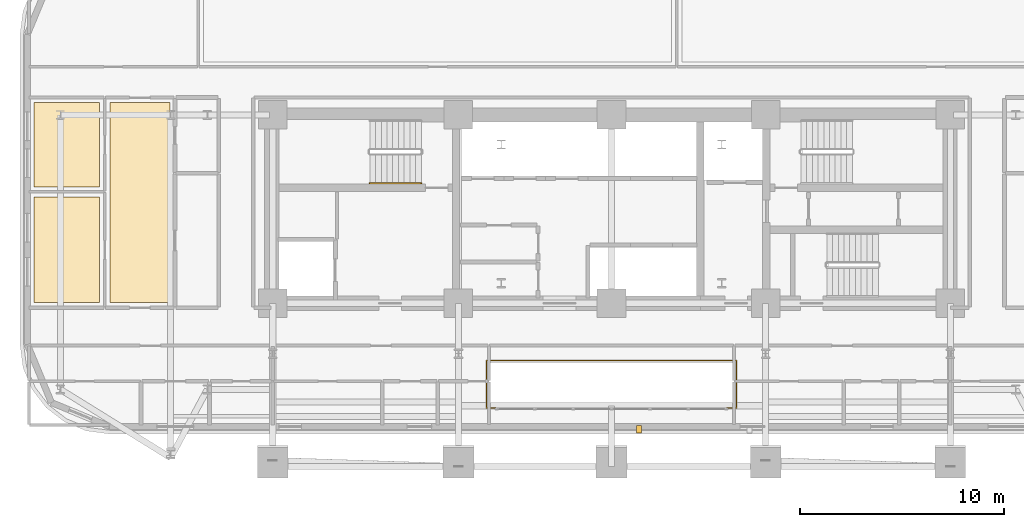
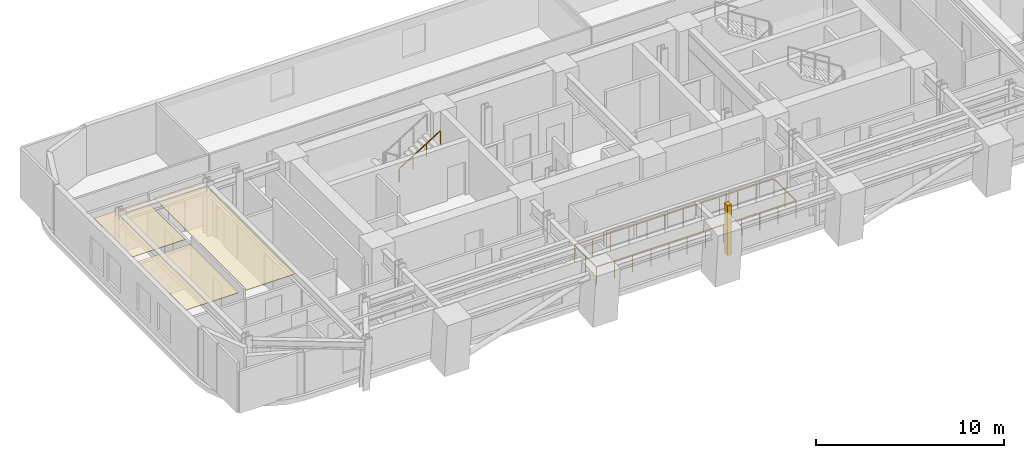
# One storey, part 12 of 15: 4 coverings, 2 railings.
"""IFC4 building model written with IfcOpenShell, lengths in metres."""

from ifc_helpers import new_model, si_unit, direction, frame, origin, origin_2d, place, context, subcontext, project, spatial, polyline, rectangle, outline, extrude, material, layer, layer_set, type_object, element, save


model = new_model("IFC4")

# Units and contexts
model_context = context("Model", 3, precision=1e-05, world=origin(), true_north=direction((0.0, 1.0)))
body_context = subcontext(model_context, "Body", "Model", "MODEL_VIEW")
ifc_project = project(units=[si_unit("LENGTHUNIT", "METRE"), si_unit("AREAUNIT", "SQUARE_METRE"), si_unit("VOLUMEUNIT", "CUBIC_METRE"), si_unit("PLANEANGLEUNIT", "RADIAN"), si_unit("MASSUNIT", "GRAM", prefix="KILO")], contexts=[model_context])

# Site, building, storey
site_placement = place(None, origin())
site = spatial("IfcSite", under=ifc_project, at=site_placement, CompositionType="ELEMENT")
building_placement = place(site_placement, origin())
building = spatial("IfcBuilding", under=site, at=building_placement, Name="Zarnavel Station Tower", CompositionType="ELEMENT")
storey_placement = place(building_placement, frame((0.0, 0.0, 67.5)))
storey = spatial("IfcBuildingStorey", under=building, at=storey_placement, Name="L18", CompositionType="ELEMENT", Elevation=67.5)

# Coverings
ifc_material_1 = material(Name="Perforated Gypsum and Mineral-Wool Acoustic Ceiling", Category="concrete")
ifc_layer = layer(ifc_material_1, 0.0400390625)
ifc_layer_set = layer_set([ifc_layer], Name="COV_CEIL_ACOUSTIC")
covering_type_1 = type_object("IfcCoveringType", Name="COV_CEIL_ACOUSTIC", PredefinedType="CEILING", material=ifc_layer_set)
covering_1_placement = place(storey_placement, frame((0.0, 0.0, 2.919921875)))
element("IfcCovering", 1, at=covering_1_placement, inside=storey, type_object=covering_type_1, Name="L18 FNWLV Acoustic Ceiling", PredefinedType="CEILING", context=body_context, shape_type="SweptSolid", body=[
    extrude(outline(polyline([(4.22607421875, 27.85009765625), (7.1630859375, 27.85009765625), (7.1630859375, 37.64990234375), (4.22607421875, 37.64990234375), (4.22607421875, 27.85009765625)])), origin(), (0.0, 0.0, 1.0), 0.0400390625),
])
covering_2_placement = place(storey_placement, frame((0.0, 0.0, 2.919921875)))
element("IfcCovering", 2, at=covering_2_placement, inside=storey, type_object=covering_type_1, Name="L18 FNWB1 Acoustic Ceiling", PredefinedType="CEILING", context=body_context, shape_type="SweptSolid", body=[
    extrude(outline(polyline([(0.510009765625, 27.85009765625), (3.72607421875, 27.85009765625), (3.72607421875, 33.029052734375), (0.510009765625, 33.029052734375), (0.510009765625, 27.85009765625)])), origin(), (0.0, 0.0, 1.0), 0.0400390625),
])
covering_3_placement = place(storey_placement, frame((0.0, 0.0, 2.919921875)))
element("IfcCovering", 3, at=covering_3_placement, inside=storey, type_object=covering_type_1, Name="L18 FNWB2 Acoustic Ceiling", PredefinedType="CEILING", context=body_context, shape_type="SweptSolid", body=[
    extrude(outline(polyline([(0.510009765625, 33.529052734375), (3.72607421875, 33.529052734375), (3.72607421875, 37.64990234375), (0.510009765625, 37.64990234375), (0.510009765625, 33.529052734375)])), origin(), (0.0, 0.0, 1.0), 0.0400390625),
])
ifc_material_2 = material(Name="Precast concrete C45/55 (Pale Travertine Slab Band)", Category="masonry")
covering_type_2 = type_object("IfcCoveringType", Name="COV_TRAVERTINE_BAND", PredefinedType="CLADDING", material=ifc_material_2)
covering_4_placement = place(storey_placement, frame((30.14990234375, 21.64990234375, 0.0), z_axis=(0.0, 0.0, 1.0), x_axis=(1.0, 0.0, 0.0)))
element("IfcCovering", 4, at=covering_4_placement, inside=storey, type_object=covering_type_2, Name="L18 Travertine Portal Loggia Vertical Jog West", PredefinedType="CLADDING", context=body_context, shape_type="SweptSolid", body=[
    extrude(rectangle(XDim=0.239990234375, YDim=0.360107421875, at=origin_2d()), origin(), (0.0, 0.0, 1.0), 3.239990234375),
])

# Railings
ifc_material_3 = material(Name="Painted Steel S355J2 Balustrade", Category="steel")
railing_type_1 = type_object("IfcRailingType", Name="GR_INT_1150", PredefinedType="GUARDRAIL", material=ifc_material_3)
railing_1_placement = place(storey_placement, frame((22.679931640625, 22.679931640625, 0.0)))
element("IfcRailing", 5, at=railing_1_placement, inside=storey, type_object=railing_type_1, Name="L18 Atrium Void Guardrail", PredefinedType="GUARDRAIL", context=body_context, shape_type="SweptSolid", body=[
    extrude(rectangle(XDim=0.048095703125, YDim=0.048095703125, at=origin_2d()), frame((0.001953125, 0.0, 1.1259765625), z_axis=(1.0, 0.0, 0.0), x_axis=(0.0, 1.0, 0.0)), (0.0, 0.0, 1.0), 12.236083984375),
    extrude(rectangle(XDim=0.048095703125, YDim=0.048095703125, at=origin_2d()), frame((12.239990234375, 0.001953125, 1.1259765625), z_axis=(0.0, 1.0, 0.0), x_axis=(-1.0, 0.0, 0.0)), (0.0, 0.0, 1.0), 2.336181640625),
    extrude(rectangle(XDim=0.048095703125, YDim=0.048095703125, at=origin_2d()), frame((12.238037109375, 2.340087890625, 1.1259765625), z_axis=(-1.0, 0.0, 0.0), x_axis=(0.0, -1.0, 0.0)), (0.0, 0.0, 1.0), 12.236083984375),
    extrude(rectangle(XDim=0.048095703125, YDim=0.048095703125, at=origin_2d()), frame((0.0, 2.338134765625, 1.1259765625), z_axis=(0.0, -1.0, 0.0), x_axis=(1.0, 0.0, 0.0)), (0.0, 0.0, 1.0), 2.336181640625),
    extrude(rectangle(XDim=0.0419921875, YDim=0.0419921875, at=origin_2d()), origin(), (0.0, 0.0, 1.0), 1.101806640625),
    extrude(rectangle(XDim=0.0419921875, YDim=0.0419921875, at=origin_2d()), frame((1.11279296875, 0.0, 0.0)), (0.0, 0.0, 1.0), 1.101806640625),
    extrude(rectangle(XDim=0.0419921875, YDim=0.0419921875, at=origin_2d()), frame((2.225341796875, 0.0, 0.0)), (0.0, 0.0, 1.0), 1.101806640625),
    extrude(rectangle(XDim=0.0419921875, YDim=0.0419921875, at=origin_2d()), frame((3.338134765625, 0.0, 0.0)), (0.0, 0.0, 1.0), 1.101806640625),
    extrude(rectangle(XDim=0.0419921875, YDim=0.0419921875, at=origin_2d()), frame((4.450927734375, 0.0, 0.0)), (0.0, 0.0, 1.0), 1.101806640625),
    extrude(rectangle(XDim=0.0419921875, YDim=0.0419921875, at=origin_2d()), frame((5.563720703125, 0.0, 0.0)), (0.0, 0.0, 1.0), 1.101806640625),
    extrude(rectangle(XDim=0.0419921875, YDim=0.0419921875, at=origin_2d()), frame((6.67626953125, 0.0, 0.0)), (0.0, 0.0, 1.0), 1.101806640625),
    extrude(rectangle(XDim=0.0419921875, YDim=0.0419921875, at=origin_2d()), frame((7.7890625, 0.0, 0.0)), (0.0, 0.0, 1.0), 1.101806640625),
    extrude(rectangle(XDim=0.0419921875, YDim=0.0419921875, at=origin_2d()), frame((8.90185546875, 0.0, 0.0)), (0.0, 0.0, 1.0), 1.101806640625),
    extrude(rectangle(XDim=0.0419921875, YDim=0.0419921875, at=origin_2d()), frame((10.0146484375, 0.0, 0.0)), (0.0, 0.0, 1.0), 1.101806640625),
    extrude(rectangle(XDim=0.0419921875, YDim=0.0419921875, at=origin_2d()), frame((11.127197265625, 0.0, 0.0)), (0.0, 0.0, 1.0), 1.101806640625),
    extrude(rectangle(XDim=0.0419921875, YDim=0.0419921875, at=origin_2d()), frame((12.239990234375, 0.0, 0.0)), (0.0, 0.0, 1.0), 1.101806640625),
    extrude(rectangle(XDim=0.0419921875, YDim=0.0419921875, at=origin_2d()), frame((12.239990234375, 1.169921875, 0.0)), (0.0, 0.0, 1.0), 1.101806640625),
    extrude(rectangle(XDim=0.0419921875, YDim=0.0419921875, at=origin_2d()), frame((12.239990234375, 2.340087890625, 0.0)), (0.0, 0.0, 1.0), 1.101806640625),
    extrude(rectangle(XDim=0.0419921875, YDim=0.0419921875, at=origin_2d()), frame((11.127197265625, 2.340087890625, 0.0)), (0.0, 0.0, 1.0), 1.101806640625),
    extrude(rectangle(XDim=0.0419921875, YDim=0.0419921875, at=origin_2d()), frame((10.0146484375, 2.340087890625, 0.0)), (0.0, 0.0, 1.0), 1.101806640625),
    extrude(rectangle(XDim=0.0419921875, YDim=0.0419921875, at=origin_2d()), frame((8.90185546875, 2.340087890625, 0.0)), (0.0, 0.0, 1.0), 1.101806640625),
    extrude(rectangle(XDim=0.0419921875, YDim=0.0419921875, at=origin_2d()), frame((7.7890625, 2.340087890625, 0.0)), (0.0, 0.0, 1.0), 1.101806640625),
    extrude(rectangle(XDim=0.0419921875, YDim=0.0419921875, at=origin_2d()), frame((6.67626953125, 2.340087890625, 0.0)), (0.0, 0.0, 1.0), 1.101806640625),
    extrude(rectangle(XDim=0.0419921875, YDim=0.0419921875, at=origin_2d()), frame((5.563720703125, 2.340087890625, 0.0)), (0.0, 0.0, 1.0), 1.101806640625),
    extrude(rectangle(XDim=0.0419921875, YDim=0.0419921875, at=origin_2d()), frame((4.450927734375, 2.340087890625, 0.0)), (0.0, 0.0, 1.0), 1.101806640625),
    extrude(rectangle(XDim=0.0419921875, YDim=0.0419921875, at=origin_2d()), frame((3.338134765625, 2.340087890625, 0.0)), (0.0, 0.0, 1.0), 1.101806640625),
    extrude(rectangle(XDim=0.0419921875, YDim=0.0419921875, at=origin_2d()), frame((2.225341796875, 2.340087890625, 0.0)), (0.0, 0.0, 1.0), 1.101806640625),
    extrude(rectangle(XDim=0.0419921875, YDim=0.0419921875, at=origin_2d()), frame((1.11279296875, 2.340087890625, 0.0)), (0.0, 0.0, 1.0), 1.101806640625),
    extrude(rectangle(XDim=0.0419921875, YDim=0.0419921875, at=origin_2d()), frame((0.0, 2.340087890625, 0.0)), (0.0, 0.0, 1.0), 1.101806640625),
    extrude(rectangle(XDim=0.0419921875, YDim=0.0419921875, at=origin_2d()), frame((0.0, 1.169921875, 0.0)), (0.0, 0.0, 1.0), 1.101806640625),
])
ifc_material_4 = material(Name="Brushed Stainless Steel S355J2 Handrail", Category="steel")
railing_type_2 = type_object("IfcRailingType", Name="HR_STAIR_900", PredefinedType="HANDRAIL", material=ifc_material_4)
railing_2_placement = place(storey_placement, frame((16.9599609375, 33.7099609375, 1.925048828125)))
element("IfcRailing", 6, at=railing_2_placement, inside=storey, type_object=railing_type_2, Name="L18 ST1 stair handrail 2", PredefinedType="HANDRAIL", context=body_context, shape_type="SweptSolid", body=[
    extrude(rectangle(XDim=0.048095703125, YDim=0.048095703125, at=origin_2d()), frame((0.001708984375, 0.0, 0.876953125), z_axis=(0.848007534815, 0.0, 0.529984170421), x_axis=(0.0, 1.0, 0.0)), (0.0, 0.0, 1.0), 2.9677734375),
    extrude(rectangle(XDim=0.0419921875, YDim=0.0419921875, at=origin_2d()), origin(), (0.0, 0.0, 1.0), 0.851806640625),
    extrude(rectangle(XDim=0.0419921875, YDim=0.0419921875, at=origin_2d()), frame((0.840087890625, 0.0, 0.52490234375)), (0.0, 0.0, 1.0), 0.851806640625),
    extrude(rectangle(XDim=0.0419921875, YDim=0.0419921875, at=origin_2d()), frame((1.679931640625, 0.0, 1.050048828125)), (0.0, 0.0, 1.0), 0.851806640625),
    extrude(rectangle(XDim=0.0419921875, YDim=0.0419921875, at=origin_2d()), frame((2.52001953125, 0.0, 1.574951171875)), (0.0, 0.0, 1.0), 0.851806640625),
])

save(model, "model.ifc")
